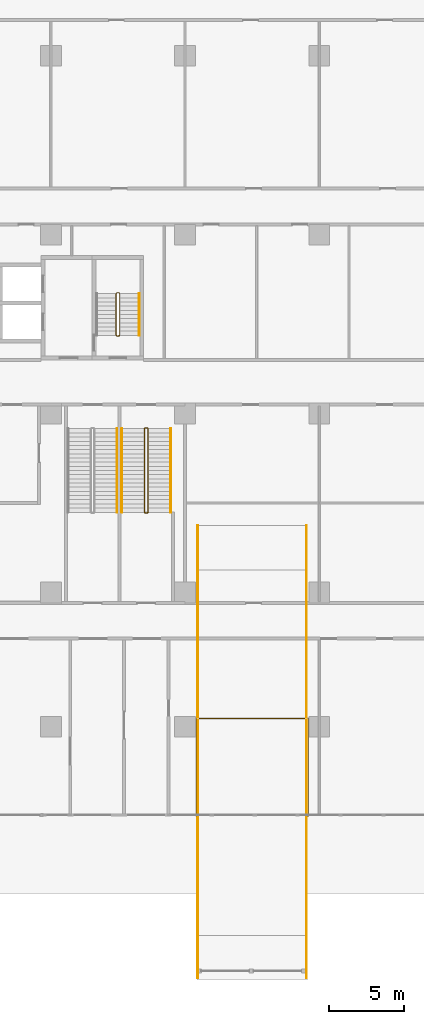
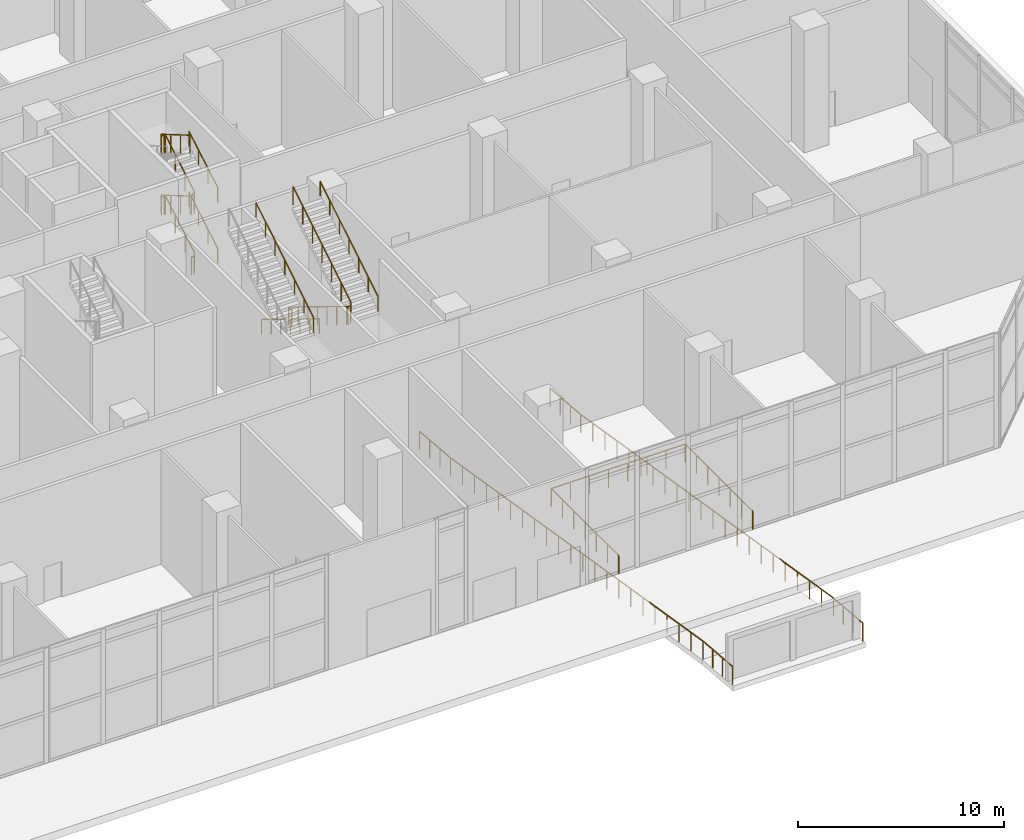
# One storey, part 31 of 34: 10 railings.
"""IFC4 building model written with IfcOpenShell, lengths in metres."""

from ifc_helpers import new_model, si_unit, direction, frame, origin, origin_2d, place, context, subcontext, project, spatial, rectangle, extrude, material, type_object, element, save


model = new_model("IFC4")

# Units and contexts
model_context = context("Model", 3, precision=1e-05, world=origin(), true_north=direction((0.0, 1.0)))
body_context = subcontext(model_context, "Body", "Model", "MODEL_VIEW")
ifc_project = project(units=[si_unit("LENGTHUNIT", "METRE"), si_unit("AREAUNIT", "SQUARE_METRE"), si_unit("VOLUMEUNIT", "CUBIC_METRE"), si_unit("PLANEANGLEUNIT", "RADIAN"), si_unit("MASSUNIT", "GRAM", prefix="KILO")], contexts=[model_context])

# Site, building, storey
site_placement = place(None, origin())
site = spatial("IfcSite", under=ifc_project, at=site_placement, CompositionType="ELEMENT")
building_placement = place(site_placement, origin())
building = spatial("IfcBuilding", under=site, at=building_placement, Name="Chenar Terraces", CompositionType="ELEMENT")
storey_placement = place(building_placement, origin())
storey = spatial("IfcBuildingStorey", under=building, at=storey_placement, Name="L00", CompositionType="ELEMENT", Elevation=0.0)

# Railings
ifc_material_1 = material(Name="Powder-coated steel", Category="steel")
railing_type_1 = type_object("IfcRailingType", Name="Ramp guard 1100", PredefinedType="GUARDRAIL", material=ifc_material_1)
railing_1_placement = place(storey_placement, frame((54.75, -15.0, 0.0)))
element("IfcRailing", 1, at=railing_1_placement, inside=storey, type_object=railing_type_1, Name="R1 ramp opening guard", PredefinedType="GUARDRAIL", context=body_context, shape_type="SweptSolid", body=[
    extrude(rectangle(XDim=0.048095703125, YDim=0.048095703125, at=origin_2d()), frame((0.0, 0.0, 1.076171875), z_axis=(0.0, 1.0, 0.0), x_axis=(-1.0, 0.0, 0.0)), (0.0, 0.0, 1.0), 6.550048828125),
    extrude(rectangle(XDim=0.048095703125, YDim=0.048095703125, at=origin_2d()), frame((0.0, 6.550048828125, 1.076171875), z_axis=(1.0, 0.0, 0.0), x_axis=(0.0, 1.0, 0.0)), (0.0, 0.0, 1.0), 7.5),
    extrude(rectangle(XDim=0.048095703125, YDim=0.048095703125, at=origin_2d()), frame((7.5, 6.550048828125, 1.076171875), z_axis=(0.0, -1.0, 0.0), x_axis=(1.0, 0.0, 0.0)), (0.0, 0.0, 1.0), 6.550048828125),
    extrude(rectangle(XDim=0.0419921875, YDim=0.0419921875, at=origin_2d()), origin(), (0.0, 0.0, 1.0), 1.052001953125),
    extrude(rectangle(XDim=0.0419921875, YDim=0.0419921875, at=origin_2d()), frame((0.0, 1.091796875, 0.0)), (0.0, 0.0, 1.0), 1.052001953125),
    extrude(rectangle(XDim=0.0419921875, YDim=0.0419921875, at=origin_2d()), frame((0.0, 2.183349609375, 0.0)), (0.0, 0.0, 1.0), 1.052001953125),
    extrude(rectangle(XDim=0.0419921875, YDim=0.0419921875, at=origin_2d()), frame((0.0, 3.27490234375, 0.0)), (0.0, 0.0, 1.0), 1.052001953125),
    extrude(rectangle(XDim=0.0419921875, YDim=0.0419921875, at=origin_2d()), frame((0.0, 4.36669921875, 0.0)), (0.0, 0.0, 1.0), 1.052001953125),
    extrude(rectangle(XDim=0.0419921875, YDim=0.0419921875, at=origin_2d()), frame((0.0, 5.45849609375, 0.0)), (0.0, 0.0, 1.0), 1.052001953125),
    extrude(rectangle(XDim=0.0419921875, YDim=0.0419921875, at=origin_2d()), frame((0.0, 6.550048828125, 0.0)), (0.0, 0.0, 1.0), 1.052001953125),
    extrude(rectangle(XDim=0.0419921875, YDim=0.0419921875, at=origin_2d()), frame((1.071533203125, 6.550048828125, 0.0)), (0.0, 0.0, 1.0), 1.052001953125),
    extrude(rectangle(XDim=0.0419921875, YDim=0.0419921875, at=origin_2d()), frame((2.142822265625, 6.550048828125, 0.0)), (0.0, 0.0, 1.0), 1.052001953125),
    extrude(rectangle(XDim=0.0419921875, YDim=0.0419921875, at=origin_2d()), frame((3.21435546875, 6.550048828125, 0.0)), (0.0, 0.0, 1.0), 1.052001953125),
    extrude(rectangle(XDim=0.0419921875, YDim=0.0419921875, at=origin_2d()), frame((4.28564453125, 6.550048828125, 0.0)), (0.0, 0.0, 1.0), 1.052001953125),
    extrude(rectangle(XDim=0.0419921875, YDim=0.0419921875, at=origin_2d()), frame((5.357177734375, 6.550048828125, 0.0)), (0.0, 0.0, 1.0), 1.052001953125),
    extrude(rectangle(XDim=0.0419921875, YDim=0.0419921875, at=origin_2d()), frame((6.428466796875, 6.550048828125, 0.0)), (0.0, 0.0, 1.0), 1.052001953125),
    extrude(rectangle(XDim=0.0419921875, YDim=0.0419921875, at=origin_2d()), frame((7.5, 6.550048828125, 0.0)), (0.0, 0.0, 1.0), 1.052001953125),
    extrude(rectangle(XDim=0.0419921875, YDim=0.0419921875, at=origin_2d()), frame((7.5, 5.45849609375, 0.0)), (0.0, 0.0, 1.0), 1.052001953125),
    extrude(rectangle(XDim=0.0419921875, YDim=0.0419921875, at=origin_2d()), frame((7.5, 4.36669921875, 0.0)), (0.0, 0.0, 1.0), 1.052001953125),
    extrude(rectangle(XDim=0.0419921875, YDim=0.0419921875, at=origin_2d()), frame((7.5, 3.27490234375, 0.0)), (0.0, 0.0, 1.0), 1.052001953125),
    extrude(rectangle(XDim=0.0419921875, YDim=0.0419921875, at=origin_2d()), frame((7.5, 2.183349609375, 0.0)), (0.0, 0.0, 1.0), 1.052001953125),
    extrude(rectangle(XDim=0.0419921875, YDim=0.0419921875, at=origin_2d()), frame((7.5, 1.091796875, 0.0)), (0.0, 0.0, 1.0), 1.052001953125),
    extrude(rectangle(XDim=0.0419921875, YDim=0.0419921875, at=origin_2d()), frame((7.5, 0.0, 0.0)), (0.0, 0.0, 1.0), 1.052001953125),
])
railing_2_placement = place(storey_placement, frame((54.85009765625, -25.840087890625, -0.012451171875)))
element("IfcRailing", 2, at=railing_2_placement, inside=storey, type_object=railing_type_1, Name="R1 ramp guard west", PredefinedType="GUARDRAIL", context=body_context, shape_type="SweptSolid", body=[
    extrude(rectangle(XDim=0.048095703125, YDim=0.048095703125, at=origin_2d()), frame((0.0, 0.0, 1.076171875), z_axis=(0.0, 0.996544580704, -0.083059609134), x_axis=(-1.0, 0.0, 0.0)), (0.0, 0.0, 1.0), 2.85986328125),
    extrude(rectangle(XDim=0.048095703125, YDim=0.048095703125, at=origin_2d()), frame((0.0, 2.85009765625, 0.83837890625), z_axis=(0.0, 0.986922405444, -0.161196047201), x_axis=(-1.0, 0.0, 0.0)), (0.0, 0.0, 1.0), 24.814453125),
    extrude(rectangle(XDim=0.048095703125, YDim=0.048095703125, at=origin_2d()), frame((0.0, 27.340087890625, -3.16162109375), z_axis=(0.0, 0.996545758245, -0.083045479854), x_axis=(-1.0, 0.0, 0.0)), (0.0, 0.0, 1.0), 3.010498046875),
    extrude(rectangle(XDim=0.0419921875, YDim=0.0419921875, at=origin_2d()), origin(), (0.0, 0.0, 1.0), 1.052001953125),
    extrude(rectangle(XDim=0.0419921875, YDim=0.0419921875, at=origin_2d()), frame((0.0, 0.949951171875, -0.0791015625)), (0.0, 0.0, 1.0), 1.052001953125),
    extrude(rectangle(XDim=0.0419921875, YDim=0.0419921875, at=origin_2d()), frame((0.0, 1.900146484375, -0.158447265625)), (0.0, 0.0, 1.0), 1.052001953125),
    extrude(rectangle(XDim=0.0419921875, YDim=0.0419921875, at=origin_2d()), frame((0.0, 2.85009765625, -0.237548828125)), (0.0, 0.0, 1.0), 1.052001953125),
    extrude(rectangle(XDim=0.0419921875, YDim=0.0419921875, at=origin_2d()), frame((0.0, 4.016357421875, -0.427978515625)), (0.0, 0.0, 1.0), 1.052001953125),
    extrude(rectangle(XDim=0.0419921875, YDim=0.0419921875, at=origin_2d()), frame((0.0, 5.182373046875, -0.618408203125)), (0.0, 0.0, 1.0), 1.052001953125),
    extrude(rectangle(XDim=0.0419921875, YDim=0.0419921875, at=origin_2d()), frame((0.0, 6.3486328125, -0.80908203125)), (0.0, 0.0, 1.0), 1.052001953125),
    extrude(rectangle(XDim=0.0419921875, YDim=0.0419921875, at=origin_2d()), frame((0.0, 7.514892578125, -0.99951171875)), (0.0, 0.0, 1.0), 1.052001953125),
    extrude(rectangle(XDim=0.0419921875, YDim=0.0419921875, at=origin_2d()), frame((0.0, 8.68115234375, -1.18994140625)), (0.0, 0.0, 1.0), 1.052001953125),
    extrude(rectangle(XDim=0.0419921875, YDim=0.0419921875, at=origin_2d()), frame((0.0, 9.84716796875, -1.38037109375)), (0.0, 0.0, 1.0), 1.052001953125),
    extrude(rectangle(XDim=0.0419921875, YDim=0.0419921875, at=origin_2d()), frame((0.0, 11.013427734375, -1.57080078125)), (0.0, 0.0, 1.0), 1.052001953125),
    extrude(rectangle(XDim=0.0419921875, YDim=0.0419921875, at=origin_2d()), frame((0.0, 12.1796875, -1.761474609375)), (0.0, 0.0, 1.0), 1.052001953125),
    extrude(rectangle(XDim=0.0419921875, YDim=0.0419921875, at=origin_2d()), frame((0.0, 13.345703125, -1.951904296875)), (0.0, 0.0, 1.0), 1.052001953125),
    extrude(rectangle(XDim=0.0419921875, YDim=0.0419921875, at=origin_2d()), frame((0.0, 14.511962890625, -2.142333984375)), (0.0, 0.0, 1.0), 1.052001953125),
    extrude(rectangle(XDim=0.0419921875, YDim=0.0419921875, at=origin_2d()), frame((0.0, 15.67822265625, -2.332763671875)), (0.0, 0.0, 1.0), 1.052001953125),
    extrude(rectangle(XDim=0.0419921875, YDim=0.0419921875, at=origin_2d()), frame((0.0, 16.844482421875, -2.523193359375)), (0.0, 0.0, 1.0), 1.052001953125),
    extrude(rectangle(XDim=0.0419921875, YDim=0.0419921875, at=origin_2d()), frame((0.0, 18.010498046875, -2.713623046875)), (0.0, 0.0, 1.0), 1.052001953125),
    extrude(rectangle(XDim=0.0419921875, YDim=0.0419921875, at=origin_2d()), frame((0.0, 19.1767578125, -2.904296875)), (0.0, 0.0, 1.0), 1.052001953125),
    extrude(rectangle(XDim=0.0419921875, YDim=0.0419921875, at=origin_2d()), frame((0.0, 20.343017578125, -3.0947265625)), (0.0, 0.0, 1.0), 1.052001953125),
    extrude(rectangle(XDim=0.0419921875, YDim=0.0419921875, at=origin_2d()), frame((0.0, 21.509033203125, -3.28515625)), (0.0, 0.0, 1.0), 1.052001953125),
    extrude(rectangle(XDim=0.0419921875, YDim=0.0419921875, at=origin_2d()), frame((0.0, 22.67529296875, -3.4755859375)), (0.0, 0.0, 1.0), 1.052001953125),
    extrude(rectangle(XDim=0.0419921875, YDim=0.0419921875, at=origin_2d()), frame((0.0, 23.841552734375, -3.666015625)), (0.0, 0.0, 1.0), 1.052001953125),
    extrude(rectangle(XDim=0.0419921875, YDim=0.0419921875, at=origin_2d()), frame((0.0, 25.0078125, -3.856689453125)), (0.0, 0.0, 1.0), 1.052001953125),
    extrude(rectangle(XDim=0.0419921875, YDim=0.0419921875, at=origin_2d()), frame((0.0, 26.173828125, -4.047119140625)), (0.0, 0.0, 1.0), 1.052001953125),
    extrude(rectangle(XDim=0.0419921875, YDim=0.0419921875, at=origin_2d()), frame((0.0, 27.340087890625, -4.237548828125)), (0.0, 0.0, 1.0), 1.052001953125),
    extrude(rectangle(XDim=0.0419921875, YDim=0.0419921875, at=origin_2d()), frame((0.0, 28.340087890625, -4.32080078125)), (0.0, 0.0, 1.0), 1.052001953125),
    extrude(rectangle(XDim=0.0419921875, YDim=0.0419921875, at=origin_2d()), frame((0.0, 29.340087890625, -4.404296875)), (0.0, 0.0, 1.0), 1.052001953125),
    extrude(rectangle(XDim=0.0419921875, YDim=0.0419921875, at=origin_2d()), frame((0.0, 30.340087890625, -4.487548828125)), (0.0, 0.0, 1.0), 1.052001953125),
])
railing_3_placement = place(storey_placement, frame((62.14990234375, -25.840087890625, -0.012451171875)))
element("IfcRailing", 3, at=railing_3_placement, inside=storey, type_object=railing_type_1, Name="R1 ramp guard east", PredefinedType="GUARDRAIL", context=body_context, shape_type="SweptSolid", body=[
    extrude(rectangle(XDim=0.048095703125, YDim=0.048095703125, at=origin_2d()), frame((0.0, 0.0, 1.076171875), z_axis=(0.0, 0.996544580704, -0.083059609134), x_axis=(-1.0, 0.0, 0.0)), (0.0, 0.0, 1.0), 2.85986328125),
    extrude(rectangle(XDim=0.048095703125, YDim=0.048095703125, at=origin_2d()), frame((0.0, 2.85009765625, 0.83837890625), z_axis=(0.0, 0.986922405444, -0.161196047201), x_axis=(-1.0, 0.0, 0.0)), (0.0, 0.0, 1.0), 24.814453125),
    extrude(rectangle(XDim=0.048095703125, YDim=0.048095703125, at=origin_2d()), frame((0.0, 27.340087890625, -3.16162109375), z_axis=(0.0, 0.996545758245, -0.083045479854), x_axis=(-1.0, 0.0, 0.0)), (0.0, 0.0, 1.0), 3.010498046875),
    extrude(rectangle(XDim=0.0419921875, YDim=0.0419921875, at=origin_2d()), origin(), (0.0, 0.0, 1.0), 1.052001953125),
    extrude(rectangle(XDim=0.0419921875, YDim=0.0419921875, at=origin_2d()), frame((0.0, 0.949951171875, -0.0791015625)), (0.0, 0.0, 1.0), 1.052001953125),
    extrude(rectangle(XDim=0.0419921875, YDim=0.0419921875, at=origin_2d()), frame((0.0, 1.900146484375, -0.158447265625)), (0.0, 0.0, 1.0), 1.052001953125),
    extrude(rectangle(XDim=0.0419921875, YDim=0.0419921875, at=origin_2d()), frame((0.0, 2.85009765625, -0.237548828125)), (0.0, 0.0, 1.0), 1.052001953125),
    extrude(rectangle(XDim=0.0419921875, YDim=0.0419921875, at=origin_2d()), frame((0.0, 4.016357421875, -0.427978515625)), (0.0, 0.0, 1.0), 1.052001953125),
    extrude(rectangle(XDim=0.0419921875, YDim=0.0419921875, at=origin_2d()), frame((0.0, 5.182373046875, -0.618408203125)), (0.0, 0.0, 1.0), 1.052001953125),
    extrude(rectangle(XDim=0.0419921875, YDim=0.0419921875, at=origin_2d()), frame((0.0, 6.3486328125, -0.80908203125)), (0.0, 0.0, 1.0), 1.052001953125),
    extrude(rectangle(XDim=0.0419921875, YDim=0.0419921875, at=origin_2d()), frame((0.0, 7.514892578125, -0.99951171875)), (0.0, 0.0, 1.0), 1.052001953125),
    extrude(rectangle(XDim=0.0419921875, YDim=0.0419921875, at=origin_2d()), frame((0.0, 8.68115234375, -1.18994140625)), (0.0, 0.0, 1.0), 1.052001953125),
    extrude(rectangle(XDim=0.0419921875, YDim=0.0419921875, at=origin_2d()), frame((0.0, 9.84716796875, -1.38037109375)), (0.0, 0.0, 1.0), 1.052001953125),
    extrude(rectangle(XDim=0.0419921875, YDim=0.0419921875, at=origin_2d()), frame((0.0, 11.013427734375, -1.57080078125)), (0.0, 0.0, 1.0), 1.052001953125),
    extrude(rectangle(XDim=0.0419921875, YDim=0.0419921875, at=origin_2d()), frame((0.0, 12.1796875, -1.761474609375)), (0.0, 0.0, 1.0), 1.052001953125),
    extrude(rectangle(XDim=0.0419921875, YDim=0.0419921875, at=origin_2d()), frame((0.0, 13.345703125, -1.951904296875)), (0.0, 0.0, 1.0), 1.052001953125),
    extrude(rectangle(XDim=0.0419921875, YDim=0.0419921875, at=origin_2d()), frame((0.0, 14.511962890625, -2.142333984375)), (0.0, 0.0, 1.0), 1.052001953125),
    extrude(rectangle(XDim=0.0419921875, YDim=0.0419921875, at=origin_2d()), frame((0.0, 15.67822265625, -2.332763671875)), (0.0, 0.0, 1.0), 1.052001953125),
    extrude(rectangle(XDim=0.0419921875, YDim=0.0419921875, at=origin_2d()), frame((0.0, 16.844482421875, -2.523193359375)), (0.0, 0.0, 1.0), 1.052001953125),
    extrude(rectangle(XDim=0.0419921875, YDim=0.0419921875, at=origin_2d()), frame((0.0, 18.010498046875, -2.713623046875)), (0.0, 0.0, 1.0), 1.052001953125),
    extrude(rectangle(XDim=0.0419921875, YDim=0.0419921875, at=origin_2d()), frame((0.0, 19.1767578125, -2.904296875)), (0.0, 0.0, 1.0), 1.052001953125),
    extrude(rectangle(XDim=0.0419921875, YDim=0.0419921875, at=origin_2d()), frame((0.0, 20.343017578125, -3.0947265625)), (0.0, 0.0, 1.0), 1.052001953125),
    extrude(rectangle(XDim=0.0419921875, YDim=0.0419921875, at=origin_2d()), frame((0.0, 21.509033203125, -3.28515625)), (0.0, 0.0, 1.0), 1.052001953125),
    extrude(rectangle(XDim=0.0419921875, YDim=0.0419921875, at=origin_2d()), frame((0.0, 22.67529296875, -3.4755859375)), (0.0, 0.0, 1.0), 1.052001953125),
    extrude(rectangle(XDim=0.0419921875, YDim=0.0419921875, at=origin_2d()), frame((0.0, 23.841552734375, -3.666015625)), (0.0, 0.0, 1.0), 1.052001953125),
    extrude(rectangle(XDim=0.0419921875, YDim=0.0419921875, at=origin_2d()), frame((0.0, 25.0078125, -3.856689453125)), (0.0, 0.0, 1.0), 1.052001953125),
    extrude(rectangle(XDim=0.0419921875, YDim=0.0419921875, at=origin_2d()), frame((0.0, 26.173828125, -4.047119140625)), (0.0, 0.0, 1.0), 1.052001953125),
    extrude(rectangle(XDim=0.0419921875, YDim=0.0419921875, at=origin_2d()), frame((0.0, 27.340087890625, -4.237548828125)), (0.0, 0.0, 1.0), 1.052001953125),
    extrude(rectangle(XDim=0.0419921875, YDim=0.0419921875, at=origin_2d()), frame((0.0, 28.340087890625, -4.32080078125)), (0.0, 0.0, 1.0), 1.052001953125),
    extrude(rectangle(XDim=0.0419921875, YDim=0.0419921875, at=origin_2d()), frame((0.0, 29.340087890625, -4.404296875)), (0.0, 0.0, 1.0), 1.052001953125),
    extrude(rectangle(XDim=0.0419921875, YDim=0.0419921875, at=origin_2d()), frame((0.0, 30.340087890625, -4.487548828125)), (0.0, 0.0, 1.0), 1.052001953125),
])
ifc_material_2 = material(Name="Powder-coated steel", Category="steel")
railing_type_2 = type_object("IfcRailingType", Name="Stair guard 1100", PredefinedType="GUARDRAIL", material=ifc_material_2)
railing_4_placement = place(storey_placement, frame((49.375, 17.25, 7.199951171875)))
element("IfcRailing", 4, at=railing_4_placement, inside=storey, type_object=railing_type_2, Name="L00 ST3 stair guard 1", PredefinedType="GUARDRAIL", context=body_context, shape_type="SweptSolid", body=[
    extrude(rectangle(XDim=0.048095703125, YDim=0.048095703125, at=origin_2d()), frame((0.0, 0.0, 1.076171875), z_axis=(0.0, 0.863393664356, -0.504530851732), x_axis=(-1.0, 0.0, 0.0)), (0.0, 0.0, 1.0), 3.2431640625),
    extrude(rectangle(XDim=0.048095703125, YDim=0.048095703125, at=origin_2d()), frame((0.0, 2.800048828125, -0.56005859375), z_axis=(0.280456126637, 0.280456126637, -0.917980785237), x_axis=(-0.707106781187, 0.707106781187, 0.0)), (0.0, 0.0, 1.0), 0.178466796875),
    extrude(rectangle(XDim=0.048095703125, YDim=0.048095703125, at=origin_2d()), frame((0.050048828125, 2.85009765625, -0.72412109375), z_axis=(1.0, 0.0, 0.0), x_axis=(0.0, 1.0, 0.0)), (0.0, 0.0, 1.0), 0.14990234375),
    extrude(rectangle(XDim=0.048095703125, YDim=0.048095703125, at=origin_2d()), frame((0.199951171875, 2.85009765625, -0.72412109375), z_axis=(0.707106781187, -0.707106781187, 0.0), x_axis=(0.707106781187, 0.707106781187, 0.0)), (0.0, 0.0, 1.0), 0.07080078125),
    extrude(rectangle(XDim=0.048095703125, YDim=0.048095703125, at=origin_2d()), frame((0.25, 2.800048828125, -0.72412109375), z_axis=(0.0, -0.863393664356, -0.504530851732), x_axis=(1.0, 0.0, 0.0)), (0.0, 0.0, 1.0), 3.2431640625),
    extrude(rectangle(XDim=0.048095703125, YDim=0.048095703125, at=origin_2d()), frame((0.25, 0.0, -2.3603515625), z_axis=(-0.759870394187, -0.190199549216, -0.621627795), x_axis=(0.242814311512, -0.970072785993, 0.0)), (0.0, 0.0, 1.0), 0.26318359375),
    extrude(rectangle(XDim=0.048095703125, YDim=0.048095703125, at=origin_2d()), frame((0.050048828125, -0.050048828125, -2.52392578125), z_axis=(1.0, 0.0, 0.0), x_axis=(0.0, 1.0, 0.0)), (0.0, 0.0, 1.0), 0.14990234375),
    extrude(rectangle(XDim=0.048095703125, YDim=0.048095703125, at=origin_2d()), frame((0.199951171875, -0.050048828125, -2.52392578125), z_axis=(-0.970072785993, 0.242814311512, 0.0), x_axis=(-0.242814311512, -0.970072785993, 0.0)), (0.0, 0.0, 1.0), 0.2060546875),
    extrude(rectangle(XDim=0.048095703125, YDim=0.048095703125, at=origin_2d()), frame((0.0, 0.0, -2.52392578125), z_axis=(0.0, 0.863360870873, -0.504586966384), x_axis=(-1.0, 0.0, 0.0)), (0.0, 0.0, 1.0), 3.2431640625),
    extrude(rectangle(XDim=0.048095703125, YDim=0.048095703125, at=origin_2d()), frame((0.0, 2.800048828125, -4.16015625), z_axis=(0.280808744504, 0.280808744504, -0.917765164963), x_axis=(-0.707106781187, 0.707106781187, 0.0)), (0.0, 0.0, 1.0), 0.17822265625),
    extrude(rectangle(XDim=0.048095703125, YDim=0.048095703125, at=origin_2d()), frame((0.050048828125, 2.85009765625, -4.32373046875), z_axis=(1.0, 0.0, 0.0), x_axis=(0.0, 1.0, 0.0)), (0.0, 0.0, 1.0), 0.14990234375),
    extrude(rectangle(XDim=0.048095703125, YDim=0.048095703125, at=origin_2d()), frame((0.199951171875, 2.85009765625, -4.32373046875), z_axis=(0.707106781187, -0.707106781187, 0.0), x_axis=(0.707106781187, 0.707106781187, 0.0)), (0.0, 0.0, 1.0), 0.07080078125),
    extrude(rectangle(XDim=0.048095703125, YDim=0.048095703125, at=origin_2d()), frame((0.25, 2.800048828125, -4.32373046875), z_axis=(0.0, -0.863360870873, -0.504586966384), x_axis=(1.0, 0.0, 0.0)), (0.0, 0.0, 1.0), 3.2431640625),
    extrude(rectangle(XDim=0.048095703125, YDim=0.048095703125, at=origin_2d()), frame((0.25, 0.0, -5.96044921875), z_axis=(-0.280808744504, -0.280808744504, -0.917765164963), x_axis=(0.707106781187, -0.707106781187, 0.0)), (0.0, 0.0, 1.0), 0.17822265625),
    extrude(rectangle(XDim=0.048095703125, YDim=0.048095703125, at=origin_2d()), frame((0.199951171875, -0.050048828125, -6.1240234375), z_axis=(-1.0, 0.0, 0.0), x_axis=(0.0, -1.0, 0.0)), (0.0, 0.0, 1.0), 0.14990234375),
    extrude(rectangle(XDim=0.0419921875, YDim=0.0419921875, at=origin_2d()), origin(), (0.0, 0.0, 1.0), 1.052001953125),
    extrude(rectangle(XDim=0.0419921875, YDim=0.0419921875, at=origin_2d()), frame((0.0, 0.933349609375, -0.54541015625)), (0.0, 0.0, 1.0), 1.052001953125),
    extrude(rectangle(XDim=0.0419921875, YDim=0.0419921875, at=origin_2d()), frame((0.0, 1.86669921875, -1.0908203125)), (0.0, 0.0, 1.0), 1.052001953125),
    extrude(rectangle(XDim=0.0419921875, YDim=0.0419921875, at=origin_2d()), frame((0.0, 2.800048828125, -1.63623046875)), (0.0, 0.0, 1.0), 1.052001953125),
    extrude(rectangle(XDim=0.0419921875, YDim=0.0419921875, at=origin_2d()), frame((0.050048828125, 2.85009765625, -1.800048828125)), (0.0, 0.0, 1.0), 1.052001953125),
    extrude(rectangle(XDim=0.0419921875, YDim=0.0419921875, at=origin_2d()), frame((0.199951171875, 2.85009765625, -1.800048828125)), (0.0, 0.0, 1.0), 1.052001953125),
    extrude(rectangle(XDim=0.0419921875, YDim=0.0419921875, at=origin_2d()), frame((0.25, 2.800048828125, -1.800048828125)), (0.0, 0.0, 1.0), 1.052001953125),
    extrude(rectangle(XDim=0.0419921875, YDim=0.0419921875, at=origin_2d()), frame((0.25, 1.86669921875, -2.345458984375)), (0.0, 0.0, 1.0), 1.052001953125),
    extrude(rectangle(XDim=0.0419921875, YDim=0.0419921875, at=origin_2d()), frame((0.25, 0.933349609375, -2.890869140625)), (0.0, 0.0, 1.0), 1.052001953125),
    extrude(rectangle(XDim=0.0419921875, YDim=0.0419921875, at=origin_2d()), frame((0.25, 0.0, -3.436279296875)), (0.0, 0.0, 1.0), 1.052001953125),
    extrude(rectangle(XDim=0.0419921875, YDim=0.0419921875, at=origin_2d()), frame((0.050048828125, -0.050048828125, -3.599853515625)), (0.0, 0.0, 1.0), 1.052001953125),
    extrude(rectangle(XDim=0.0419921875, YDim=0.0419921875, at=origin_2d()), frame((0.199951171875, -0.050048828125, -3.599853515625)), (0.0, 0.0, 1.0), 1.052001953125),
    extrude(rectangle(XDim=0.0419921875, YDim=0.0419921875, at=origin_2d()), frame((0.0, 0.0, -3.599853515625)), (0.0, 0.0, 1.0), 1.052001953125),
    extrude(rectangle(XDim=0.0419921875, YDim=0.0419921875, at=origin_2d()), frame((0.0, 0.933349609375, -4.145263671875)), (0.0, 0.0, 1.0), 1.052001953125),
    extrude(rectangle(XDim=0.0419921875, YDim=0.0419921875, at=origin_2d()), frame((0.0, 1.86669921875, -4.69091796875)), (0.0, 0.0, 1.0), 1.052001953125),
    extrude(rectangle(XDim=0.0419921875, YDim=0.0419921875, at=origin_2d()), frame((0.0, 2.800048828125, -5.236328125)), (0.0, 0.0, 1.0), 1.052001953125),
    extrude(rectangle(XDim=0.0419921875, YDim=0.0419921875, at=origin_2d()), frame((0.050048828125, 2.85009765625, -5.39990234375)), (0.0, 0.0, 1.0), 1.052001953125),
    extrude(rectangle(XDim=0.0419921875, YDim=0.0419921875, at=origin_2d()), frame((0.199951171875, 2.85009765625, -5.39990234375)), (0.0, 0.0, 1.0), 1.052001953125),
    extrude(rectangle(XDim=0.0419921875, YDim=0.0419921875, at=origin_2d()), frame((0.25, 2.800048828125, -5.39990234375)), (0.0, 0.0, 1.0), 1.052001953125),
    extrude(rectangle(XDim=0.0419921875, YDim=0.0419921875, at=origin_2d()), frame((0.25, 1.86669921875, -5.9453125)), (0.0, 0.0, 1.0), 1.052001953125),
    extrude(rectangle(XDim=0.0419921875, YDim=0.0419921875, at=origin_2d()), frame((0.25, 0.933349609375, -6.490966796875)), (0.0, 0.0, 1.0), 1.052001953125),
    extrude(rectangle(XDim=0.0419921875, YDim=0.0419921875, at=origin_2d()), frame((0.25, 0.0, -7.036376953125)), (0.0, 0.0, 1.0), 1.052001953125),
    extrude(rectangle(XDim=0.0419921875, YDim=0.0419921875, at=origin_2d()), frame((0.199951171875, -0.050048828125, -7.199951171875)), (0.0, 0.0, 1.0), 1.052001953125),
    extrude(rectangle(XDim=0.0419921875, YDim=0.0419921875, at=origin_2d()), frame((0.050048828125, -0.050048828125, -7.199951171875)), (0.0, 0.0, 1.0), 1.052001953125),
])
railing_5_placement = place(storey_placement, frame((51.52490234375, 10.985107421875, 7.199951171875)))
element("IfcRailing", 5, at=railing_5_placement, inside=storey, type_object=railing_type_2, Name="L00 PS2 stair guard 1", PredefinedType="GUARDRAIL", context=body_context, shape_type="SweptSolid", body=[
    extrude(rectangle(XDim=0.048095703125, YDim=0.048095703125, at=origin_2d()), frame((0.0, 0.0, 1.076171875), z_axis=(0.0, -0.852862454864, -0.522135646249), x_axis=(1.0, 0.0, 0.0)), (0.0, 0.0, 1.0), 6.566162109375),
    extrude(rectangle(XDim=0.048095703125, YDim=0.048095703125, at=origin_2d()), frame((0.0, -5.60009765625, -2.3525390625), z_axis=(-0.268689830376, -0.270006937388, -0.924609122178), x_axis=(0.708833529934, -0.705375805398, 0.0)), (0.0, 0.0, 1.0), 0.185302734375),
    extrude(rectangle(XDim=0.048095703125, YDim=0.048095703125, at=origin_2d()), frame((-0.0498046875, -5.650146484375, -2.52392578125), z_axis=(-1.0, 0.0, 0.0), x_axis=(0.0, -1.0, 0.0)), (0.0, 0.0, 1.0), 0.150146484375),
    extrude(rectangle(XDim=0.048095703125, YDim=0.048095703125, at=origin_2d()), frame((-0.199951171875, -5.650146484375, -2.52392578125), z_axis=(-0.707106781187, 0.707106781187, 0.0), x_axis=(-0.707106781187, -0.707106781187, 0.0)), (0.0, 0.0, 1.0), 0.07080078125),
    extrude(rectangle(XDim=0.048095703125, YDim=0.048095703125, at=origin_2d()), frame((-0.25, -5.60009765625, -2.52392578125), z_axis=(0.0, 0.852845897599, -0.522162690116), x_axis=(-1.0, 0.0, 0.0)), (0.0, 0.0, 1.0), 6.56640625),
    extrude(rectangle(XDim=0.048095703125, YDim=0.048095703125, at=origin_2d()), frame((-0.25, 0.0, -5.95263671875), z_axis=(0.270006937388, 0.268689830376, -0.924609122178), x_axis=(-0.705375805398, 0.708833529934, 0.0)), (0.0, 0.0, 1.0), 0.185302734375),
    extrude(rectangle(XDim=0.048095703125, YDim=0.048095703125, at=origin_2d()), frame((-0.199951171875, 0.0498046875, -6.1240234375), z_axis=(1.0, 0.0, 0.0), x_axis=(0.0, 1.0, 0.0)), (0.0, 0.0, 1.0), 0.150146484375),
    extrude(rectangle(XDim=0.0419921875, YDim=0.0419921875, at=origin_2d()), origin(), (0.0, 0.0, 1.0), 1.052001953125),
    extrude(rectangle(XDim=0.0419921875, YDim=0.0419921875, at=origin_2d()), frame((0.0, -0.933349609375, -0.5712890625)), (0.0, 0.0, 1.0), 1.052001953125),
    extrude(rectangle(XDim=0.0419921875, YDim=0.0419921875, at=origin_2d()), frame((0.0, -1.86669921875, -1.142822265625)), (0.0, 0.0, 1.0), 1.052001953125),
    extrude(rectangle(XDim=0.0419921875, YDim=0.0419921875, at=origin_2d()), frame((0.0, -2.800048828125, -1.71435546875)), (0.0, 0.0, 1.0), 1.052001953125),
    extrude(rectangle(XDim=0.0419921875, YDim=0.0419921875, at=origin_2d()), frame((0.0, -3.7333984375, -2.28564453125)), (0.0, 0.0, 1.0), 1.052001953125),
    extrude(rectangle(XDim=0.0419921875, YDim=0.0419921875, at=origin_2d()), frame((0.0, -4.666748046875, -2.85693359375)), (0.0, 0.0, 1.0), 1.052001953125),
    extrude(rectangle(XDim=0.0419921875, YDim=0.0419921875, at=origin_2d()), frame((0.0, -5.60009765625, -3.428466796875)), (0.0, 0.0, 1.0), 1.052001953125),
    extrude(rectangle(XDim=0.0419921875, YDim=0.0419921875, at=origin_2d()), frame((-0.0498046875, -5.650146484375, -3.599853515625)), (0.0, 0.0, 1.0), 1.052001953125),
    extrude(rectangle(XDim=0.0419921875, YDim=0.0419921875, at=origin_2d()), frame((-0.199951171875, -5.650146484375, -3.599853515625)), (0.0, 0.0, 1.0), 1.052001953125),
    extrude(rectangle(XDim=0.0419921875, YDim=0.0419921875, at=origin_2d()), frame((-0.25, -5.60009765625, -3.599853515625)), (0.0, 0.0, 1.0), 1.052001953125),
    extrude(rectangle(XDim=0.0419921875, YDim=0.0419921875, at=origin_2d()), frame((-0.25, -4.666748046875, -4.17138671875)), (0.0, 0.0, 1.0), 1.052001953125),
    extrude(rectangle(XDim=0.0419921875, YDim=0.0419921875, at=origin_2d()), frame((-0.25, -3.7333984375, -4.74267578125)), (0.0, 0.0, 1.0), 1.052001953125),
    extrude(rectangle(XDim=0.0419921875, YDim=0.0419921875, at=origin_2d()), frame((-0.25, -2.800048828125, -5.314208984375)), (0.0, 0.0, 1.0), 1.052001953125),
    extrude(rectangle(XDim=0.0419921875, YDim=0.0419921875, at=origin_2d()), frame((-0.25, -1.86669921875, -5.8857421875)), (0.0, 0.0, 1.0), 1.052001953125),
    extrude(rectangle(XDim=0.0419921875, YDim=0.0419921875, at=origin_2d()), frame((-0.25, -0.933349609375, -6.45703125)), (0.0, 0.0, 1.0), 1.052001953125),
    extrude(rectangle(XDim=0.0419921875, YDim=0.0419921875, at=origin_2d()), frame((-0.25, 0.0, -7.028564453125)), (0.0, 0.0, 1.0), 1.052001953125),
    extrude(rectangle(XDim=0.0419921875, YDim=0.0419921875, at=origin_2d()), frame((-0.199951171875, 0.0498046875, -7.199951171875)), (0.0, 0.0, 1.0), 1.052001953125),
    extrude(rectangle(XDim=0.0419921875, YDim=0.0419921875, at=origin_2d()), frame((-0.0498046875, 0.0498046875, -7.199951171875)), (0.0, 0.0, 1.0), 1.052001953125),
])
ifc_material_3 = material(Name="Powder-coated steel", Category="steel")
railing_type_3 = type_object("IfcRailingType", Name="Stair handrail 900", PredefinedType="HANDRAIL", material=ifc_material_3)
railing_6_placement = place(storey_placement, frame((50.925048828125, 17.25, 0.16357421875)))
element("IfcRailing", 6, at=railing_6_placement, inside=storey, type_object=railing_type_3, Name="L00 ST3 stair handrail 1", PredefinedType="HANDRAIL", context=body_context, shape_type="SweptSolid", body=[
    extrude(rectangle(XDim=0.048095703125, YDim=0.048095703125, at=origin_2d()), frame((0.0, 0.0, 0.8759765625), z_axis=(0.0, 0.863360870873, 0.504586966384), x_axis=(-1.0, 0.0, 0.0)), (0.0, 0.0, 1.0), 3.2431640625),
    extrude(rectangle(XDim=0.0419921875, YDim=0.0419921875, at=origin_2d()), origin(), (0.0, 0.0, 1.0), 0.851806640625),
    extrude(rectangle(XDim=0.0419921875, YDim=0.0419921875, at=origin_2d()), frame((0.0, 0.933349609375, 0.54541015625)), (0.0, 0.0, 1.0), 0.851806640625),
    extrude(rectangle(XDim=0.0419921875, YDim=0.0419921875, at=origin_2d()), frame((0.0, 1.86669921875, 1.091064453125)), (0.0, 0.0, 1.0), 0.851806640625),
    extrude(rectangle(XDim=0.0419921875, YDim=0.0419921875, at=origin_2d()), frame((0.0, 2.800048828125, 1.636474609375)), (0.0, 0.0, 1.0), 0.851806640625),
])
railing_7_placement = place(storey_placement, frame((50.925048828125, 17.25, 3.763671875)))
element("IfcRailing", 7, at=railing_7_placement, inside=storey, type_object=railing_type_3, Name="L00 ST3 stair handrail 3", PredefinedType="HANDRAIL", context=body_context, shape_type="SweptSolid", body=[
    extrude(rectangle(XDim=0.048095703125, YDim=0.048095703125, at=origin_2d()), frame((0.0, 0.0, 0.8759765625), z_axis=(0.0, 0.863393664356, 0.504530851732), x_axis=(-1.0, 0.0, 0.0)), (0.0, 0.0, 1.0), 3.2431640625),
    extrude(rectangle(XDim=0.0419921875, YDim=0.0419921875, at=origin_2d()), origin(), (0.0, 0.0, 1.0), 0.851806640625),
    extrude(rectangle(XDim=0.0419921875, YDim=0.0419921875, at=origin_2d()), frame((0.0, 0.933349609375, 0.54541015625)), (0.0, 0.0, 1.0), 0.851806640625),
    extrude(rectangle(XDim=0.0419921875, YDim=0.0419921875, at=origin_2d()), frame((0.0, 1.86669921875, 1.0908203125)), (0.0, 0.0, 1.0), 0.851806640625),
    extrude(rectangle(XDim=0.0419921875, YDim=0.0419921875, at=origin_2d()), frame((0.0, 2.800048828125, 1.63623046875)), (0.0, 0.0, 1.0), 0.851806640625),
])
railing_8_placement = place(storey_placement, frame((49.760009765625, 10.985107421875, 0.17138671875)))
element("IfcRailing", 8, at=railing_8_placement, inside=storey, type_object=railing_type_3, Name="L00 PS2 stair handrail 1", PredefinedType="HANDRAIL", context=body_context, shape_type="SweptSolid", body=[
    extrude(rectangle(XDim=0.048095703125, YDim=0.048095703125, at=origin_2d()), frame((0.0, 0.0, 0.8759765625), z_axis=(0.0, -0.852845897599, 0.522162690116), x_axis=(1.0, 0.0, 0.0)), (0.0, 0.0, 1.0), 6.56640625),
    extrude(rectangle(XDim=0.0419921875, YDim=0.0419921875, at=origin_2d()), origin(), (0.0, 0.0, 1.0), 0.851806640625),
    extrude(rectangle(XDim=0.0419921875, YDim=0.0419921875, at=origin_2d()), frame((0.0, -0.933349609375, 0.571533203125)), (0.0, 0.0, 1.0), 0.851806640625),
    extrude(rectangle(XDim=0.0419921875, YDim=0.0419921875, at=origin_2d()), frame((0.0, -1.86669921875, 1.142822265625)), (0.0, 0.0, 1.0), 0.851806640625),
    extrude(rectangle(XDim=0.0419921875, YDim=0.0419921875, at=origin_2d()), frame((0.0, -2.800048828125, 1.71435546875)), (0.0, 0.0, 1.0), 0.851806640625),
    extrude(rectangle(XDim=0.0419921875, YDim=0.0419921875, at=origin_2d()), frame((0.0, -3.7333984375, 2.285888671875)), (0.0, 0.0, 1.0), 0.851806640625),
    extrude(rectangle(XDim=0.0419921875, YDim=0.0419921875, at=origin_2d()), frame((0.0, -4.666748046875, 2.857177734375)), (0.0, 0.0, 1.0), 0.851806640625),
    extrude(rectangle(XDim=0.0419921875, YDim=0.0419921875, at=origin_2d()), frame((0.0, -5.60009765625, 3.4287109375)), (0.0, 0.0, 1.0), 0.851806640625),
])
for number, where, name in (
    (9, (53.0400390625, 5.385009765625, 3.771484375), "L00 PS2 stair handrail 2"),
    (10, (49.43994140625, 5.385009765625, 3.771484375), "L00 PS6 stair handrail 2"),
):
    element("IfcRailing", number, at=place(storey_placement, frame(where)), inside=storey, type_object=railing_type_3, Name=name, PredefinedType="HANDRAIL", context=body_context, shape_type="SweptSolid", body=[
        extrude(rectangle(XDim=0.048095703125, YDim=0.048095703125, at=origin_2d()), frame((0.0, 0.0, 0.8759765625), z_axis=(0.0, 0.852862454864, 0.522135646249), x_axis=(-1.0, 0.0, 0.0)), (0.0, 0.0, 1.0), 6.566162109375),
        extrude(rectangle(XDim=0.0419921875, YDim=0.0419921875, at=origin_2d()), origin(), (0.0, 0.0, 1.0), 0.851806640625),
        extrude(rectangle(XDim=0.0419921875, YDim=0.0419921875, at=origin_2d()), frame((0.0, 0.933349609375, 0.5712890625)), (0.0, 0.0, 1.0), 0.851806640625),
        extrude(rectangle(XDim=0.0419921875, YDim=0.0419921875, at=origin_2d()), frame((0.0, 1.86669921875, 1.142822265625)), (0.0, 0.0, 1.0), 0.851806640625),
        extrude(rectangle(XDim=0.0419921875, YDim=0.0419921875, at=origin_2d()), frame((0.0, 2.800048828125, 1.71435546875)), (0.0, 0.0, 1.0), 0.851806640625),
        extrude(rectangle(XDim=0.0419921875, YDim=0.0419921875, at=origin_2d()), frame((0.0, 3.7333984375, 2.28564453125)), (0.0, 0.0, 1.0), 0.851806640625),
        extrude(rectangle(XDim=0.0419921875, YDim=0.0419921875, at=origin_2d()), frame((0.0, 4.666748046875, 2.85693359375)), (0.0, 0.0, 1.0), 0.851806640625),
        extrude(rectangle(XDim=0.0419921875, YDim=0.0419921875, at=origin_2d()), frame((0.0, 5.60009765625, 3.428466796875)), (0.0, 0.0, 1.0), 0.851806640625),
    ])

save(model, "model.ifc")
